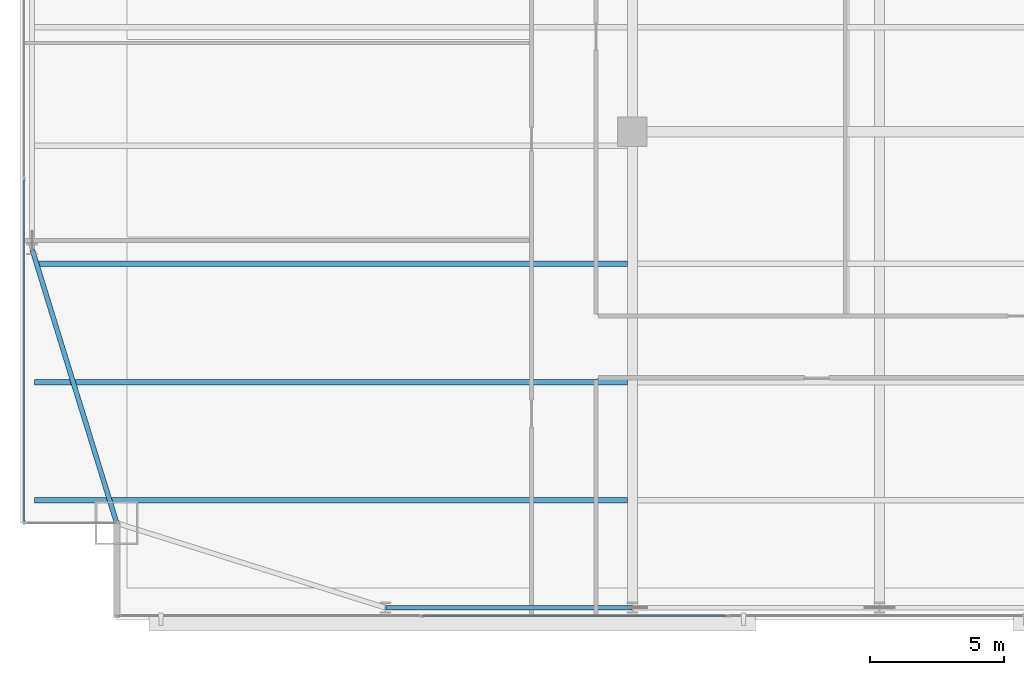
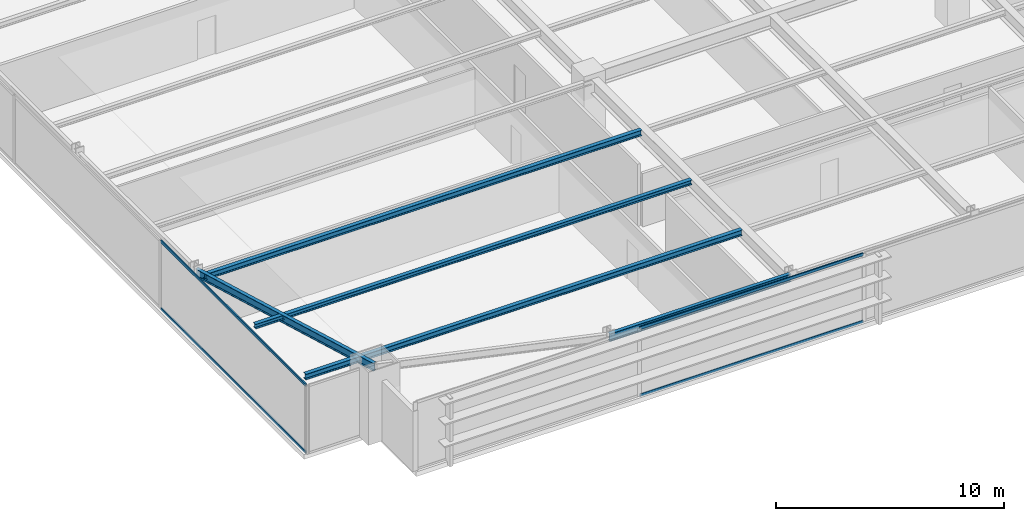
# One storey, part 5 of 32: 5 beams, 4 members, 2 elements without a shape of their own.
"""IFC4 building model written with IfcOpenShell, lengths in metres."""

from ifc_helpers import new_model, si_unit, direction, frame, origin, origin_2d, place, context, subcontext, project, spatial, hollow_rectangle, i_section, extrude, source, transform, mapped, material, layer, layer_set, material_profile, profile_set, type_object, type_shapes, element, aggregate, save


model = new_model("IFC4")

# Units and contexts
model_context = context("Model", 3, precision=1e-05, world=origin(), true_north=direction((0.0, 1.0)))
body_context = subcontext(model_context, "Body", "Model", "MODEL_VIEW")
ifc_project = project(units=[si_unit("LENGTHUNIT", "METRE"), si_unit("AREAUNIT", "SQUARE_METRE"), si_unit("VOLUMEUNIT", "CUBIC_METRE"), si_unit("PLANEANGLEUNIT", "RADIAN"), si_unit("MASSUNIT", "GRAM", prefix="KILO")], contexts=[model_context])

# Site, building, storey
site_placement = place(None, origin())
site = spatial("IfcSite", under=ifc_project, at=site_placement, CompositionType="ELEMENT")
building_placement = place(site_placement, origin())
building = spatial("IfcBuilding", under=site, at=building_placement, Name="Varnel Quay Broadcast Tower", CompositionType="ELEMENT")
storey_placement = place(building_placement, frame((0.0, 0.0, 54.89990234375)))
storey = spatial("IfcBuildingStorey", under=building, at=storey_placement, Name="L12", CompositionType="ELEMENT", Elevation=54.89990234375)

# Beams
ifc_material_1 = material(Name="Structural Steel CSA G40.21 350W", Category="steel")
ifc_material_profile_1 = material_profile(ifc_material_1, i_section(OverallWidth=0.180908203125, OverallDepth=0.4169921875, WebThickness=0.010986328125, FlangeThickness=0.018310546875, FilletRadius=0.011962890625, at=origin_2d()), Name="W410X85")
ifc_profile_set_1 = profile_set([ifc_material_profile_1], Name="Structural Steel CSA G40.21 350W")
beam_type_1 = type_object("IfcBeamType", Name="Beam_W410X85", PredefinedType="SPANDREL", material=ifc_profile_set_1)
shared_shape_1 = source(origin(), body_context, "Body", "SweptSolid", [
    extrude(i_section(OverallWidth=0.180908203125, OverallDepth=0.4169921875, WebThickness=0.010986328125, FlangeThickness=0.018310546875, FilletRadius=0.011962890625, at=origin_2d()), origin(), (0.0, 0.0, 1.0), 9.159912109375),
])
beam_1_placement = place(storey_placement, frame((15.6201171875, 1.64990234375, 3.441650390625), z_axis=(1.0, 0.0, 0.0), x_axis=(0.0, 1.0, 0.0)))
element("IfcBeam", 1, at=beam_1_placement, inside=storey, type_object=beam_type_1, Name="L12 South Spandrel TC-S1-TC-S2", PredefinedType="SPANDREL", context=body_context, shape_type="MappedRepresentation", body=[
    mapped(shared_shape_1, transform((0.0, 0.0, 0.0), x_axis=(1.0, 0.0, 0.0), y_axis=(0.0, 1.0, 0.0), z_axis=(0.0, 0.0, 1.0), scale=1.0)),
])
shared_shape_2 = source(origin(), body_context, "Body", "SweptSolid", [
    extrude(i_section(OverallWidth=0.180908203125, OverallDepth=0.4169921875, WebThickness=0.010986328125, FlangeThickness=0.018310546875, FilletRadius=0.011962890625, at=origin_2d()), origin(), (0.0, 0.0, 1.0), 10.635498046875),
])
type_shapes(beam_type_1, [shared_shape_1, shared_shape_2])
beam_2_placement = place(storey_placement, frame((5.593994140625, 4.819091796875, 3.441650390625), z_axis=(-0.295069676324, 0.955475738108, 0.0), x_axis=(-0.955475738108, -0.295069676324, 0.0)))
element("IfcBeam", 2, at=beam_2_placement, inside=storey, type_object=beam_type_1, Name="L12 West Spandrel MC-SW-TC-W1", PredefinedType="SPANDREL", context=body_context, shape_type="MappedRepresentation", body=[
    mapped(shared_shape_2, transform((0.0, 0.0, 0.0), x_axis=(1.0, 0.0, 0.0), y_axis=(0.0, 1.0, 0.0), z_axis=(0.0, 0.0, 1.0), scale=1.0)),
])
ifc_material_profile_2 = material_profile(ifc_material_1, i_section(OverallWidth=0.202880859375, OverallDepth=0.302978515625, WebThickness=0.007568359375, FlangeThickness=0.01318359375, FilletRadius=0.011962890625, at=origin_2d()), Name="W310X60")
ifc_profile_set_2 = profile_set([ifc_material_profile_2], Name="Structural Steel CSA G40.21 350W")
beam_type_2 = type_object("IfcBeamType", Name="Beam_W310X60", PredefinedType="JOIST", material=ifc_profile_set_2)
shared_shape_3 = source(origin(), body_context, "Body", "SweptSolid", [
    extrude(i_section(OverallWidth=0.202880859375, OverallDepth=0.302978515625, WebThickness=0.007568359375, FlangeThickness=0.01318359375, FilletRadius=0.011962890625, at=origin_2d()), origin(), (0.0, 0.0, 1.0), 22.0791015625),
])
type_shapes(beam_type_2, [shared_shape_3])
for number, where, z_axis, x_axis, name in (
    (3, (2.535400390625, 5.64990234375, 3.49853515625), (1.0, 0.0, 0.0), (0.0, 1.0, 0.0), "L12 West Floor Joist 1"),
    (4, (2.535400390625, 14.449951171875, 3.49853515625), (1.0, 0.0, 0.0), (0.0, 1.0, 0.0), "L12 West Floor Joist 3"),
):
    element("IfcBeam", number, at=place(storey_placement, frame(where, z_axis=z_axis, x_axis=x_axis)), inside=storey, type_object=beam_type_2, Name=name, PredefinedType="JOIST", context=body_context, shape_type="MappedRepresentation", body=[
        mapped(shared_shape_3, transform((0.0, 0.0, 0.0), x_axis=(1.0, 0.0, 0.0), y_axis=(0.0, 1.0, 0.0), z_axis=(0.0, 0.0, 1.0), scale=1.0)),
    ])
ifc_material_profile_3 = material_profile(ifc_material_1, i_section(OverallWidth=0.201904296875, OverallDepth=0.2470703125, WebThickness=0.00732421875, FlangeThickness=0.010986328125, FilletRadius=0.010986328125, at=origin_2d()), Name="W250X49")
ifc_profile_set_3 = profile_set([ifc_material_profile_3], Name="Structural Steel CSA G40.21 350W")
beam_type_3 = type_object("IfcBeamType", Name="Beam_W250X49", PredefinedType="JOIST", material=ifc_profile_set_3)
shared_shape_4 = source(origin(), body_context, "Body", "SweptSolid", [
    extrude(i_section(OverallWidth=0.201904296875, OverallDepth=0.2470703125, WebThickness=0.00732421875, FlangeThickness=0.010986328125, FilletRadius=0.010986328125, at=origin_2d()), origin(), (0.0, 0.0, 1.0), 22.0791015625),
])
type_shapes(beam_type_3, [shared_shape_4])
beam_3_placement = place(storey_placement, frame((2.535400390625, 10.050048828125, 3.526611328125), z_axis=(1.0, 0.0, 0.0), x_axis=(0.0, 1.0, 0.0)))
element("IfcBeam", 5, at=beam_3_placement, inside=storey, type_object=beam_type_3, Name="L12 West Floor Joist 2", PredefinedType="JOIST", context=body_context, shape_type="MappedRepresentation", body=[
    mapped(shared_shape_4, transform((0.0, 0.0, 0.0), x_axis=(1.0, 0.0, 0.0), y_axis=(0.0, 1.0, 0.0), z_axis=(0.0, 0.0, 1.0), scale=1.0)),
])

# Curtain wall, members
ifc_material_2 = material(Name="Anodised Bronze Aluminium 6063-T6", Category="aluminium")
ifc_layer = layer(ifc_material_2, 0.18994140625, Name="Anodised Bronze Aluminium 6063-T6")
ifc_layer_set = layer_set([ifc_layer], Name="Anodised Bronze Aluminium 6063-T6")
curtain_wall_type = type_object("IfcCurtainWallType", Name="CW_LowerTower", PredefinedType="NOTDEFINED", material=ifc_layer_set)
curtain_wall_1_placement = place(storey_placement, origin())
curtain_wall_1 = element("IfcCurtainWall", 6, at=curtain_wall_1_placement, inside=storey, type_object=curtain_wall_type, Name="L12 West Unitised Curtain Wall", PredefinedType="NOTDEFINED")
ifc_material_profile_4 = material_profile(ifc_material_2, hollow_rectangle(XDim=0.06005859375, YDim=0.14501953125, WallThickness=0.00341796875, at=origin_2d()), Name="ALU60X145X3.5")
ifc_profile_set_4 = profile_set([ifc_material_profile_4], Name="Anodised Bronze Aluminium 6063-T6")
member_type = type_object("IfcMemberType", Name="Tran_CWS-02", PredefinedType="USERDEFINED", material=ifc_profile_set_4)
shared_shape_5 = source(origin(), body_context, "Body", "SweptSolid", [
    extrude(hollow_rectangle(XDim=0.06005859375, YDim=0.14501953125, WallThickness=0.00341796875, at=origin_2d()), origin(), (0.0, 0.0, 1.0), 12.69482421875),
])
member_1_placement = place(storey_placement, frame((2.14990234375, 4.8701171875, 0.030029296875), z_axis=(0.0, 1.0, 0.0), x_axis=(-1.0, 0.0, 0.0)))
member_1 = element("IfcMember", 7, at=member_1_placement, type_object=member_type, Name="CWS-02 transom 1.1", ObjectType="TRANSOM", PredefinedType="USERDEFINED", context=body_context, shape_type="MappedRepresentation", body=[
    mapped(shared_shape_5, transform((0.0, 0.0, 0.0), x_axis=(1.0, 0.0, 0.0), y_axis=(0.0, 1.0, 0.0), z_axis=(0.0, 0.0, 1.0), scale=1.0)),
])
member_2_placement = place(storey_placement, frame((2.14990234375, 4.8701171875, 3.6201171875), z_axis=(0.0, 1.0, 0.0), x_axis=(-1.0, 0.0, 0.0)))
member_2 = element("IfcMember", 8, at=member_2_placement, type_object=member_type, Name="CWS-02 transom 1.2", ObjectType="TRANSOM", PredefinedType="USERDEFINED", context=body_context, shape_type="MappedRepresentation", body=[
    mapped(shared_shape_5, transform((0.0, 0.0, 0.0), x_axis=(1.0, 0.0, 0.0), y_axis=(0.0, 1.0, 0.0), z_axis=(0.0, 0.0, 1.0), scale=1.0)),
])
aggregate(curtain_wall_1, [member_1, member_2])

curtain_wall_2_placement = place(storey_placement, origin())
curtain_wall_2 = element("IfcCurtainWall", 9, at=curtain_wall_2_placement, inside=storey, type_object=curtain_wall_type, Name="L12 South Unitised Curtain Wall 1", PredefinedType="NOTDEFINED")
shared_shape_6 = source(origin(), body_context, "Body", "SweptSolid", [
    extrude(hollow_rectangle(XDim=0.06005859375, YDim=0.14501953125, WallThickness=0.00341796875, at=origin_2d()), origin(), (0.0, 0.0, 1.0), 11.289794921875),
])
type_shapes(member_type, [shared_shape_5, shared_shape_6])
member_3_placement = place(storey_placement, frame((16.9951171875, 1.35009765625, 0.030029296875), z_axis=(1.0, 0.0, 0.0), x_axis=(0.0, 1.0, 0.0)))
member_3 = element("IfcMember", 10, at=member_3_placement, type_object=member_type, Name="CWS-02 transom 2.1", ObjectType="TRANSOM", PredefinedType="USERDEFINED", context=body_context, shape_type="MappedRepresentation", body=[
    mapped(shared_shape_6, transform((0.0, 0.0, 0.0), x_axis=(1.0, 0.0, 0.0), y_axis=(0.0, 1.0, 0.0), z_axis=(0.0, 0.0, 1.0), scale=1.0)),
])
member_4_placement = place(storey_placement, frame((16.9951171875, 1.35009765625, 3.6201171875), z_axis=(1.0, 0.0, 0.0), x_axis=(0.0, 1.0, 0.0)))
member_4 = element("IfcMember", 11, at=member_4_placement, type_object=member_type, Name="CWS-02 transom 2.2", ObjectType="TRANSOM", PredefinedType="USERDEFINED", context=body_context, shape_type="MappedRepresentation", body=[
    mapped(shared_shape_6, transform((0.0, 0.0, 0.0), x_axis=(1.0, 0.0, 0.0), y_axis=(0.0, 1.0, 0.0), z_axis=(0.0, 0.0, 1.0), scale=1.0)),
])
aggregate(curtain_wall_2, [member_3, member_4])

save(model, "model.ifc")
